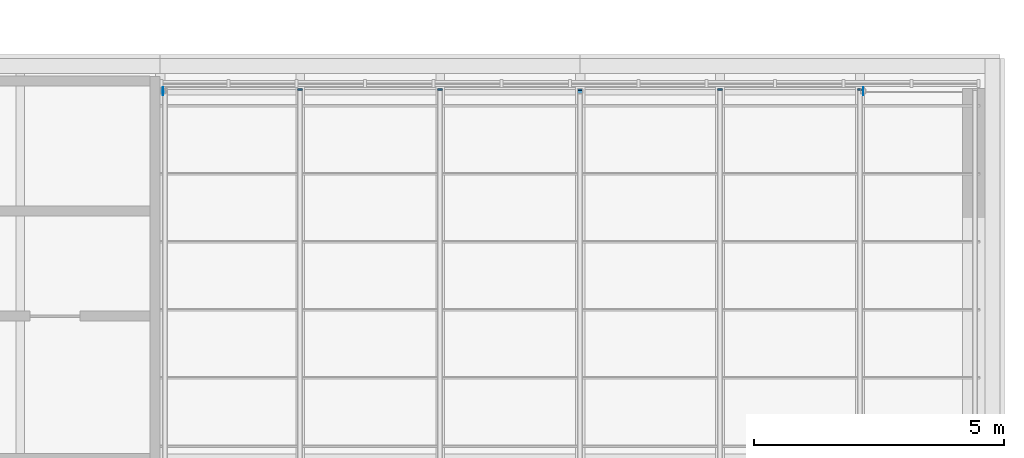
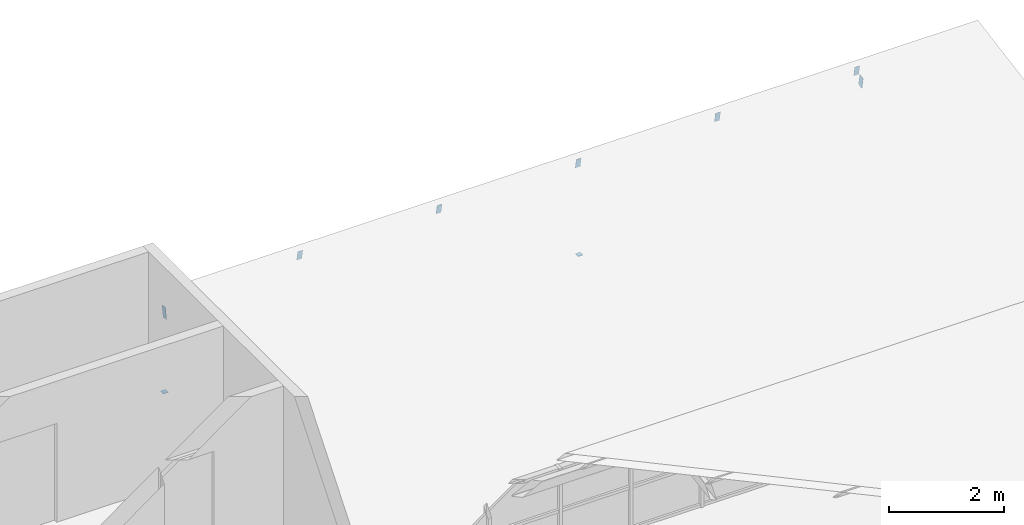
# One storey, part 30 of 33: 9 discrete accessories.
"""IFC4 building model written with IfcOpenShell, lengths in metres."""

from ifc_helpers import new_model, si_unit, direction, frame, origin, origin_2d, place, context, subcontext, project, spatial, rectangle, extrude, material, material_profile, profile_set, type_object, element, save


model = new_model("IFC4")

# Units and contexts
model_context = context("Model", 3, precision=1e-05, world=origin(), true_north=direction((0.0, 1.0)))
body_context = subcontext(model_context, "Body", "Model", "MODEL_VIEW")
ifc_project = project(units=[si_unit("LENGTHUNIT", "METRE"), si_unit("AREAUNIT", "SQUARE_METRE"), si_unit("VOLUMEUNIT", "CUBIC_METRE"), si_unit("PLANEANGLEUNIT", "RADIAN"), si_unit("MASSUNIT", "GRAM", prefix="KILO")], contexts=[model_context])

# Site, building, storey
site_placement = place(None, origin())
site = spatial("IfcSite", under=ifc_project, at=site_placement, CompositionType="ELEMENT")
building_placement = place(site_placement, origin())
building = spatial("IfcBuilding", under=site, at=building_placement, Name="Ardhachandra Cancer Care Centre", CompositionType="ELEMENT")
storey_placement = place(building_placement, frame((0.0, 0.0, 27.0)))
storey = spatial("IfcBuildingStorey", under=building, at=storey_placement, Name="Roof", CompositionType="ELEMENT", Elevation=27.0)

# Discrete accessories
ifc_material_1 = material(Name="Galvanised flat steel (Steel E250 (IS 2062))", Category="steel")
ifc_material_profile_1 = material_profile(ifc_material_1, rectangle(XDim=0.10009765625, YDim=0.199951171875, at=origin_2d()), Name="Rafter end plate 200 x 100 x 8")
ifc_profile_set_1 = profile_set([ifc_material_profile_1], Name="Galvanised flat steel (Steel E250 (IS 2062))")
discrete_accessory_type_1 = type_object("IfcDiscreteAccessoryType", Name="Rafter end plate 200 x 100 x 8", PredefinedType="BRACKET", material=ifc_profile_set_1)
for number, where, z_axis, x_axis, name in (
    (1, (131.199951171875, 104.38232421875, 1.91845703125), (0.0, 0.9838699101, 0.1788854382), (-1.0, 0.0, 0.0), "Rafter end plate ST3a.2.2"),
    (2, (134.0, 104.38232421875, 1.91845703125), (0.0, 0.9838699101, 0.1788854382), (-1.0, 0.0, 0.0), "Rafter end plate ST3a.3.2"),
    (3, (136.800048828125, 104.38232421875, 1.91845703125), (0.0, 0.9838699101, 0.1788854382), (-1.0, 0.0, 0.0), "Rafter end plate ST3a.4.2"),
    (4, (139.60009765625, 104.38232421875, 1.91845703125), (0.0, 0.9838699101, 0.1788854382), (-1.0, 0.0, 0.0), "Rafter end plate ST3a.5.2"),
    (5, (142.39990234375, 104.38232421875, 1.91845703125), (0.0, 0.9838699101, 0.1788854382), (-1.0, 0.0, 0.0), "Rafter end plate ST3a.6.2"),
):
    element("IfcDiscreteAccessory", number, at=place(storey_placement, frame(where, z_axis=z_axis, x_axis=x_axis)), inside=storey, type_object=discrete_accessory_type_1, Name=name, PredefinedType="BRACKET", context=body_context, shape_type="SweptSolid", body=[
        extrude(rectangle(XDim=0.10009765625, YDim=0.199951171875, at=origin_2d()), origin(), (0.0, 0.0, 1.0), 0.00830078125),
    ])
ifc_material_2 = material(Name="Galvanised flat steel (Steel E250 (IS 2062))", Category="steel")
ifc_material_profile_2 = material_profile(ifc_material_2, rectangle(XDim=0.1201171875, YDim=0.239990234375, at=origin_2d()), Name="Ridge beam end plate 240 x 120 x 8")
ifc_profile_set_2 = profile_set([ifc_material_profile_2], Name="Galvanised flat steel (Steel E250 (IS 2062))")
discrete_accessory_type_2 = type_object("IfcDiscreteAccessoryType", Name="Ridge beam end plate 240 x 120 x 8", PredefinedType="BRACKET", material=ifc_profile_set_2)
for number, where, z_axis, x_axis, name in (
    (6, (128.4599609375, 104.35009765625, 1.689208984375), (-1.0, 0.0, 0.0), (0.0, -0.984460447526, 0.175606455623), "Ridge beam end plate ST3a.1"),
    (7, (142.4599609375, 104.35009765625, 1.689208984375), (1.0, 0.0, 0.0), (0.0, 0.984460447526, 0.175606455623), "Ridge beam end plate ST3a.2"),
):
    element("IfcDiscreteAccessory", number, at=place(storey_placement, frame(where, z_axis=z_axis, x_axis=x_axis)), inside=storey, type_object=discrete_accessory_type_2, Name=name, PredefinedType="BRACKET", context=body_context, shape_type="SweptSolid", body=[
        extrude(rectangle(XDim=0.1201171875, YDim=0.239990234375, at=origin_2d()), origin(), (0.0, 0.0, 1.0), 0.008056640625),
    ])
ifc_material_3 = material(Name="Galvanised flat steel (Steel E250 (IS 2062))", Category="steel")
ifc_material_profile_3 = material_profile(ifc_material_3, rectangle(XDim=0.10009765625, YDim=0.10009765625, at=origin_2d()), Name="Ridge post foot plate 100 x 100 x 8")
ifc_profile_set_3 = profile_set([ifc_material_profile_3], Name="Galvanised flat steel (Steel E250 (IS 2062))")
discrete_accessory_type_3 = type_object("IfcDiscreteAccessoryType", Name="Ridge post foot plate 100 x 100 x 8", PredefinedType="BRACKET", material=ifc_profile_set_3)
for number, where, z_axis, x_axis, name in (
    (8, (128.4599609375, 104.35009765625, 0.0), (0.0, 0.0, -1.0), (1.0, 0.0, 0.0), "Ridge post foot plate ST3a.1"),
    (9, (136.800048828125, 104.35009765625, 0.0), (0.0, 0.0, -1.0), (1.0, 0.0, 0.0), "Ridge post foot plate ST3a.2"),
):
    element("IfcDiscreteAccessory", number, at=place(storey_placement, frame(where, z_axis=z_axis, x_axis=x_axis)), inside=storey, type_object=discrete_accessory_type_3, Name=name, PredefinedType="BRACKET", context=body_context, shape_type="SweptSolid", body=[
        extrude(rectangle(XDim=0.10009765625, YDim=0.10009765625, at=origin_2d()), origin(), (0.0, 0.0, 1.0), 0.008056640625),
    ])

save(model, "model.ifc")
